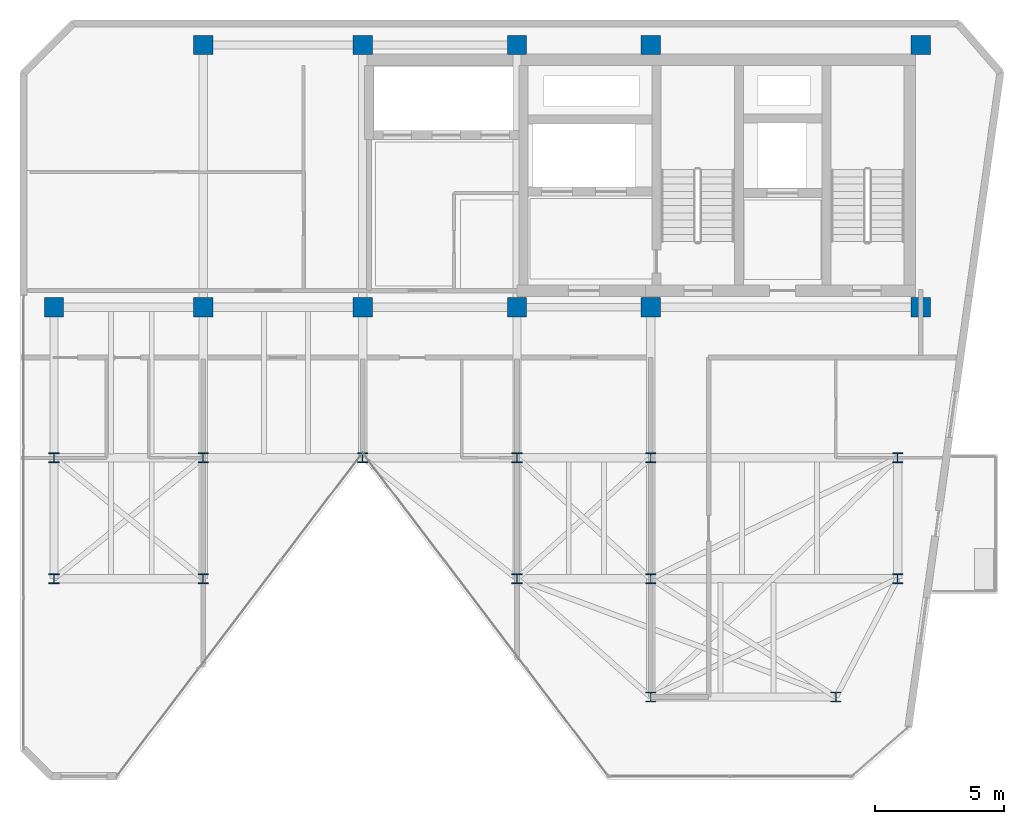
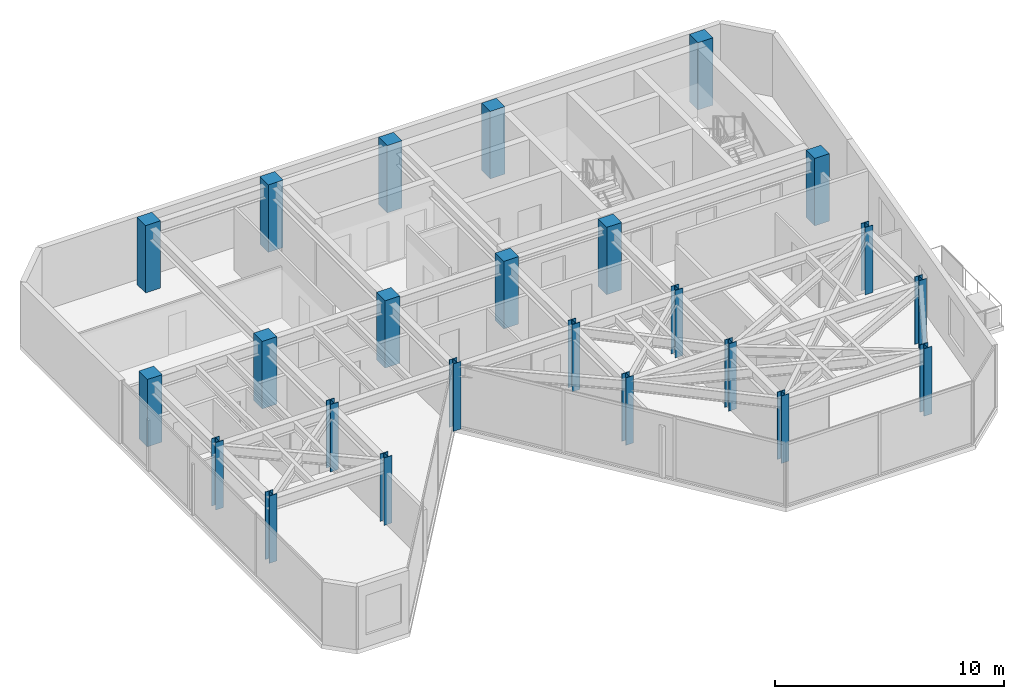
# One storey, part 1 of 17: 24 columns.
"""IFC4 building model written with IfcOpenShell, lengths in metres."""

from ifc_helpers import new_model, si_unit, direction, frame, origin, origin_2d, place, context, subcontext, project, spatial, rectangle, i_section, extrude, material, material_profile, profile_set, type_object, element, save


model = new_model("IFC4")

# Units and contexts
model_context = context("Model", 3, precision=1e-05, world=origin(), true_north=direction((0.0, 1.0)))
body_context = subcontext(model_context, "Body", "Model", "MODEL_VIEW")
ifc_project = project(units=[si_unit("LENGTHUNIT", "METRE"), si_unit("AREAUNIT", "SQUARE_METRE"), si_unit("VOLUMEUNIT", "CUBIC_METRE"), si_unit("PLANEANGLEUNIT", "RADIAN"), si_unit("MASSUNIT", "GRAM", prefix="KILO")], contexts=[model_context])

# Site, building, storey
site_placement = place(None, origin())
site = spatial("IfcSite", under=ifc_project, at=site_placement, CompositionType="ELEMENT")
building_placement = place(site_placement, origin())
building = spatial("IfcBuilding", under=site, at=building_placement, Name="Kravanh Interchange Tower", CompositionType="ELEMENT")
storey_placement = place(building_placement, frame((0.0, 0.0, 293.10009765625)))
storey = spatial("IfcBuildingStorey", under=building, at=storey_placement, Name="L72", CompositionType="ELEMENT", Elevation=293.10009765625)

# Columns
ifc_material_1 = material(Name="Concrete C60/75", Category="concrete")
ifc_material_profile_1 = material_profile(ifc_material_1, rectangle(XDim=0.75, YDim=0.75, at=origin_2d()), Name="RC750X750")
ifc_profile_set_1 = profile_set([ifc_material_profile_1], Name="Concrete C60/75")
column_type_1 = type_object("IfcColumnType", Name="Column RC750X750 Concrete C60/75", PredefinedType="COLUMN", material=ifc_profile_set_1)
for number, where, z_axis, x_axis, name in (
    (1, (66.5, 47.550048828125, 0.0), (0.0, 0.0, 1.0), (1.0, 0.0, 0.0), "L72 Column CS01"),
    (2, (56.0, 47.550048828125, 0.0), (0.0, 0.0, 1.0), (1.0, 0.0, 0.0), "L72 Column CS02"),
    (3, (66.5, 37.35009765625, 0.0), (0.0, 0.0, 1.0), (1.0, 0.0, 0.0), "L72 Column CS03"),
    (4, (56.0, 37.35009765625, 0.0), (0.0, 0.0, 1.0), (1.0, 0.0, 0.0), "L72 Column CS04"),
    (5, (50.800048828125, 47.550048828125, 0.0), (0.0, 0.0, 1.0), (1.0, 0.0, 0.0), "L72 Column CS05"),
    (6, (50.800048828125, 37.35009765625, 0.0), (0.0, 0.0, 1.0), (1.0, 0.0, 0.0), "L72 Column CS06"),
    (7, (44.800048828125, 37.35009765625, 0.0), (0.0, 0.0, 1.0), (1.0, 0.0, 0.0), "L72 Column CS07"),
    (8, (44.800048828125, 47.550048828125, 0.0), (0.0, 0.0, 1.0), (1.0, 0.0, 0.0), "L72 Column CS08"),
    (9, (38.60009765625, 37.35009765625, 0.0), (0.0, 0.0, 1.0), (1.0, 0.0, 0.0), "L72 Column CS09"),
    (10, (38.60009765625, 47.550048828125, 0.0), (0.0, 0.0, 1.0), (1.0, 0.0, 0.0), "L72 Column CS10"),
    (11, (32.800048828125, 37.35009765625, 0.0), (0.0, 0.0, 1.0), (1.0, 0.0, 0.0), "L72 Column CS11"),
):
    element("IfcColumn", number, at=place(storey_placement, frame(where, z_axis=z_axis, x_axis=x_axis)), inside=storey, type_object=column_type_1, Name=name, PredefinedType="COLUMN", context=body_context, shape_type="SweptSolid", body=[
        extrude(rectangle(XDim=0.75, YDim=0.75, at=origin_2d()), origin(), (0.0, 0.0, 1.0), 3.599853515625),
    ])
ifc_material_2 = material(Name="Structural Steel S355", Category="steel")
ifc_material_profile_2 = material_profile(ifc_material_2, i_section(OverallWidth=0.39404296875, OverallDepth=0.3759765625, WebThickness=0.017333984375, FlangeThickness=0.027587890625, FilletRadius=0.030029296875, at=origin_2d()), Name="W14X145")
ifc_profile_set_2 = profile_set([ifc_material_profile_2], Name="Structural Steel S355")
column_type_2 = type_object("IfcColumnType", Name="Column W14X145 Structural Steel S355", PredefinedType="COLUMN", material=ifc_profile_set_2)
for number, where, z_axis, x_axis, name in (
    (12, (44.800048828125, 31.5, 0.0), (0.0, 0.0, 1.0), (1.0, 0.0, 0.0), "L72 Column CH_E1"),
    (13, (50.800048828125, 31.5, 0.0), (0.0, 0.0, 1.0), (1.0, 0.0, 0.0), "L72 Column CH_E2"),
    (14, (56.0, 31.5, 0.0), (0.0, 0.0, 1.0), (1.0, 0.0, 0.0), "L72 Column CH_E3"),
    (15, (65.60009765625, 31.5, 0.0), (0.0, 0.0, 1.0), (1.0, 0.0, 0.0), "L72 Column CH_E4"),
    (16, (38.60009765625, 31.5, 0.0), (0.0, 0.0, 1.0), (1.0, 0.0, 0.0), "L72 Column CH_E5"),
    (17, (32.800048828125, 31.5, 0.0), (0.0, 0.0, 1.0), (1.0, 0.0, 0.0), "L72 Column CH_E6"),
    (18, (38.60009765625, 26.800048828125, 0.0), (0.0, 0.0, 1.0), (1.0, 0.0, 0.0), "L72 Column CH_S1"),
    (19, (50.800048828125, 26.800048828125, 0.0), (0.0, 0.0, 1.0), (1.0, 0.0, 0.0), "L72 Column CH_S2"),
    (20, (56.0, 26.800048828125, 0.0), (0.0, 0.0, 1.0), (1.0, 0.0, 0.0), "L72 Column CH_S3"),
    (21, (65.60009765625, 26.800048828125, 0.0), (0.0, 0.0, 1.0), (1.0, 0.0, 0.0), "L72 Column CH_S4"),
    (22, (56.0, 22.199951171875, 0.0), (0.0, 0.0, 1.0), (1.0, 0.0, 0.0), "L72 Column CH_S5"),
    (23, (63.199951171875, 22.199951171875, 0.0), (0.0, 0.0, 1.0), (1.0, 0.0, 0.0), "L72 Column CH_S6"),
    (24, (32.800048828125, 26.800048828125, 0.0), (0.0, 0.0, 1.0), (1.0, 0.0, 0.0), "L72 Column CH_W3"),
):
    element("IfcColumn", number, at=place(storey_placement, frame(where, z_axis=z_axis, x_axis=x_axis)), inside=storey, type_object=column_type_2, Name=name, PredefinedType="COLUMN", context=body_context, shape_type="SweptSolid", body=[
        extrude(i_section(OverallWidth=0.39404296875, OverallDepth=0.3759765625, WebThickness=0.017333984375, FlangeThickness=0.027587890625, FilletRadius=0.030029296875, at=origin_2d()), origin(), (0.0, 0.0, 1.0), 3.599853515625),
    ])

save(model, "model.ifc")
